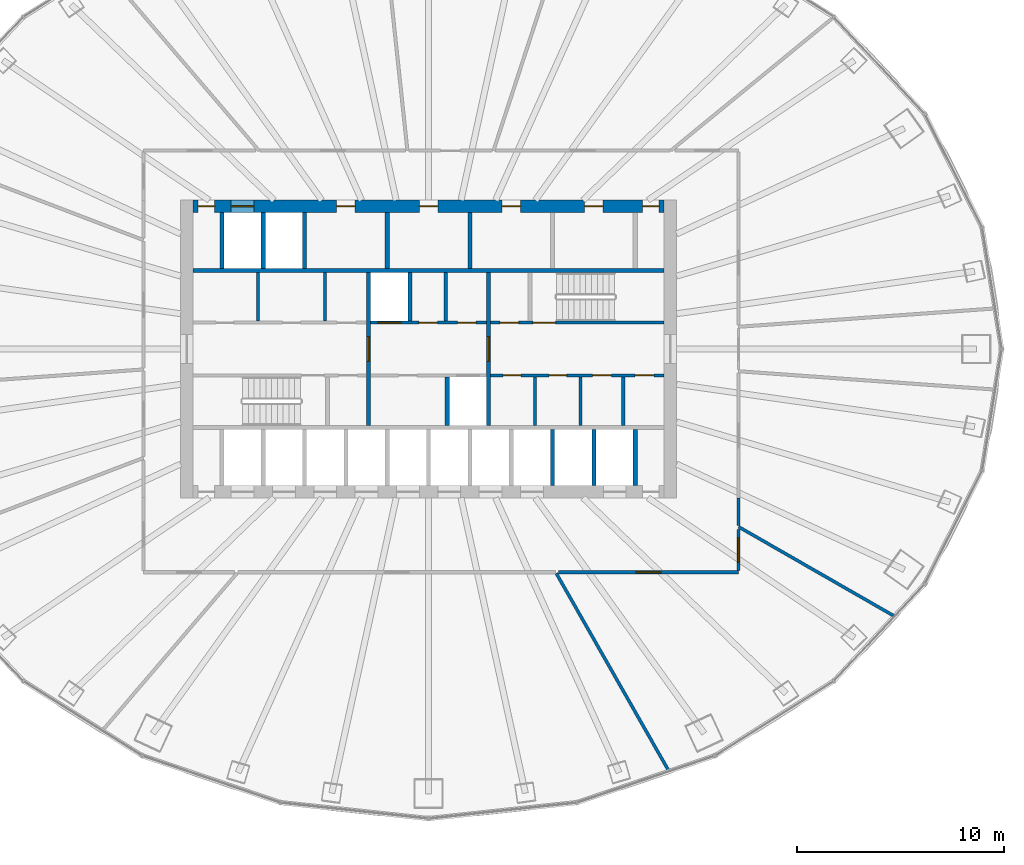
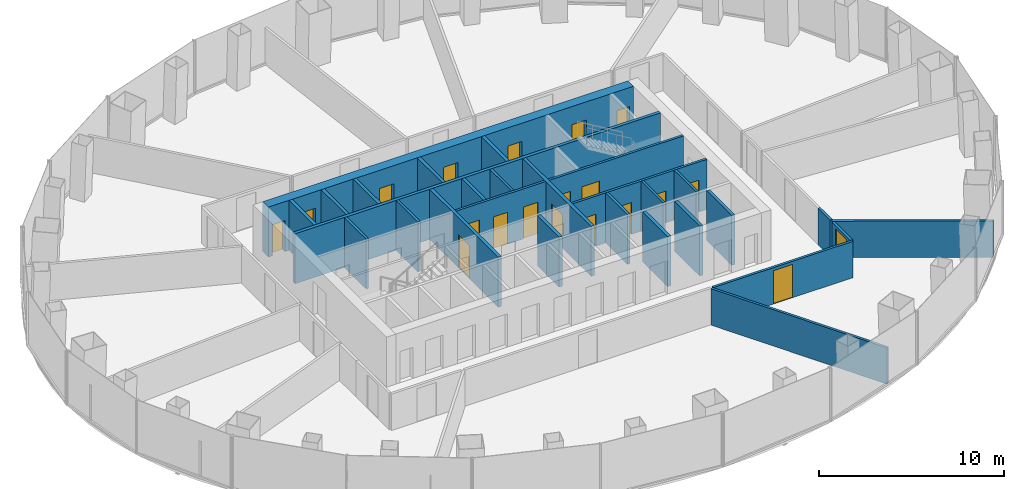
# One storey, part 9 of 11: 28 walls, 20 doors, 20 openings.
"""IFC4 building model written with IfcOpenShell, lengths in metres."""

from ifc_helpers import new_model, si_unit, direction, frame, frame_2d, origin, place, context, subcontext, project, spatial, rectangle, extrude, material, layer, layer_set, type_object, element, fill, save


model = new_model("IFC4")

# Units and contexts
model_context = context("Model", 3, precision=1e-05, world=origin(), true_north=direction((0.0, 1.0)))
body_context = subcontext(model_context, "Body", "Model", "MODEL_VIEW")
ifc_project = project(units=[si_unit("LENGTHUNIT", "METRE"), si_unit("AREAUNIT", "SQUARE_METRE"), si_unit("VOLUMEUNIT", "CUBIC_METRE"), si_unit("PLANEANGLEUNIT", "RADIAN"), si_unit("MASSUNIT", "GRAM", prefix="KILO")], contexts=[model_context])

# Site, building, storey
site_placement = place(None, origin())
site = spatial("IfcSite", under=ifc_project, at=site_placement, CompositionType="ELEMENT")
building_placement = place(site_placement, origin())
building = spatial("IfcBuilding", under=site, at=building_placement, Name="Siaravel Broadcast Tower", CompositionType="ELEMENT")
storey_placement = place(building_placement, frame((0.0, 0.0, 55.60009765625)))
storey = spatial("IfcBuildingStorey", under=building, at=storey_placement, Name="L12", CompositionType="ELEMENT", Elevation=55.60009765625)

# Walls
ifc_material_1 = material(Name="Concrete blockwork", Category="masonry")
ifc_layer_1 = layer(ifc_material_1, 0.14990234375)
ifc_layer_set_1 = layer_set([ifc_layer_1], Name="Concrete blockwork")
wall_type_1 = type_object("IfcWallType", Name="Core partition 150", PredefinedType="PARTITIONING", material=ifc_layer_set_1)
for number, where, z_axis, x_axis, name in (
    (1, (-8.2470703125, 1.35009765625, 0.0), (0.0, 0.0, 1.0), (0.0, 1.0, 0.0), "L12 core partition PNW0"),
    (2, (-5.01904296875, 1.35009765625, 0.0), (0.0, 0.0, 1.0), (0.0, 1.0, 0.0), "L12 core partition PNW1"),
    (3, (5.14208984375, -3.699951171875, 0.0), (0.0, 0.0, 1.0), (0.0, 1.0, 0.0), "L12 core partition PSE0"),
    (4, (7.35888671875, -3.699951171875, 0.0), (0.0, 0.0, 1.0), (0.0, 1.0, 0.0), "L12 core partition PSE1"),
    (5, (9.4169921875, -3.699951171875, 0.0), (0.0, 0.0, 1.0), (0.0, 1.0, 0.0), "L12 core partition PSE2"),
    (6, (0.827392578125, 1.35009765625, 0.0), (0.0, 0.0, 1.0), (0.0, 1.0, 0.0), "L12 core partition PNM0"),
):
    element("IfcWall", number, at=place(storey_placement, frame(where, z_axis=z_axis, x_axis=x_axis)), inside=storey, type_object=wall_type_1, Name=name, PredefinedType="PARTITIONING", context=body_context, shape_type="SweptSolid", body=[
        extrude(rectangle(XDim=2.349853515625, YDim=0.14990234375, at=frame_2d((1.1748046875, 0.0))), origin(), (0.0, 0.0, 1.0), 3.2998046875),
    ])
ifc_layer_2 = layer(ifc_material_1, 0.199951171875)
ifc_layer_set_2 = layer_set([ifc_layer_2], Name="Concrete blockwork")
wall_type_2 = type_object("IfcWallType", Name="Core partition 200", PredefinedType="PARTITIONING", material=ifc_layer_set_2)
for number, where, z_axis, x_axis, name in (
    (7, (-2.0, 3.89990234375, 0.0), (0.0, 0.0, 1.0), (0.0, 1.0, 0.0), "L12 core partition PFN2"),
    (8, (2.0, 3.89990234375, 0.0), (0.0, 0.0, 1.0), (0.0, 1.0, 0.0), "L12 core partition PFN4"),
):
    element("IfcWall", number, at=place(storey_placement, frame(where, z_axis=z_axis, x_axis=x_axis)), inside=storey, type_object=wall_type_2, Name=name, PredefinedType="PARTITIONING", context=body_context, shape_type="SweptSolid", body=[
        extrude(rectangle(XDim=2.7001953125, YDim=0.199951171875, at=frame_2d((1.35009765625, 0.0))), origin(), (0.0, 0.0, 1.0), 3.2998046875),
    ])

# Wall, openings, doors
ifc_material_2 = material(Name="Concrete C60/75", Category="concrete")
ifc_layer_3 = layer(ifc_material_2, 0.60009765625)
ifc_layer_set_3 = layer_set([ifc_layer_3], Name="Concrete C60/75")
wall_type_3 = type_object("IfcWallType", Name="Core wall 600", PredefinedType="SHEAR", material=ifc_layer_set_3)
wall_1_placement = place(storey_placement, frame((-11.39990234375, 6.89990234375, 0.0), z_axis=(0.0, 0.0, 1.0), x_axis=(1.0, 0.0, 0.0)))
wall_1 = element("IfcWall", 9, at=wall_1_placement, inside=storey, type_object=wall_type_3, Name="L12 core wall ON", PredefinedType="SHEAR", context=body_context, shape_type="SweptSolid", body=[
    extrude(rectangle(XDim=22.7998046875, YDim=0.60009765625, at=frame_2d((11.39990234375, 0.0))), origin(), (0.0, 0.0, 1.0), 3.2998046875),
])
opening_1_placement = place(wall_1_placement, frame((1.85009765625, 0.0, 0.0)))
opening_1 = element("IfcOpeningElement", 10, at=opening_1_placement, cuts=wall_1, Name="Opening LD-SV2-L12", PredefinedType="OPENING", context=body_context, shape_type="SweptSolid", body=[
    extrude(rectangle(XDim=1.10009765625, YDim=2.199951171875, at=frame_2d((0.550048828125, 1.10009765625))), frame((0.0, 0.31005859375, 0.0), z_axis=(0.0, -1.0, 0.0), x_axis=(1.0, 0.0, 0.0)), (0.0, 0.0, 1.0), 0.6201171875),
])
opening_2_placement = place(wall_1_placement, frame((6.949951171875, 0.0, 0.0)))
opening_2 = element("IfcOpeningElement", 11, at=opening_2_placement, cuts=wall_1, Name="Opening L12-DFN2", PredefinedType="OPENING", context=body_context, shape_type="SweptSolid", body=[
    extrude(rectangle(XDim=0.89990234375, YDim=2.10009765625, at=frame_2d((0.449951171875, 1.050048828125))), frame((0.0, 0.31005859375, 0.0), z_axis=(0.0, -1.0, 0.0), x_axis=(1.0, 0.0, 0.0)), (0.0, 0.0, 1.0), 0.6201171875),
])
opening_3_placement = place(wall_1_placement, frame((10.949951171875, 0.0, 0.0)))
opening_3 = element("IfcOpeningElement", 12, at=opening_3_placement, cuts=wall_1, Name="Opening L12-DFN4", PredefinedType="OPENING", context=body_context, shape_type="SweptSolid", body=[
    extrude(rectangle(XDim=0.89990234375, YDim=2.10009765625, at=frame_2d((0.449951171875, 1.050048828125))), frame((0.0, 0.31005859375, 0.0), z_axis=(0.0, -1.0, 0.0), x_axis=(1.0, 0.0, 0.0)), (0.0, 0.0, 1.0), 0.6201171875),
])
opening_4_placement = place(wall_1_placement, frame((14.949951171875, 0.0, 0.0)))
opening_4 = element("IfcOpeningElement", 13, at=opening_4_placement, cuts=wall_1, Name="Opening L12-DFN6", PredefinedType="OPENING", context=body_context, shape_type="SweptSolid", body=[
    extrude(rectangle(XDim=0.89990234375, YDim=2.10009765625, at=frame_2d((0.449951171875, 1.050048828125))), frame((0.0, 0.31005859375, 0.0), z_axis=(0.0, -1.0, 0.0), x_axis=(1.0, 0.0, 0.0)), (0.0, 0.0, 1.0), 0.6201171875),
])
opening_5_placement = place(wall_1_placement, frame((18.949951171875, 0.0, 0.0)))
opening_5 = element("IfcOpeningElement", 14, at=opening_5_placement, cuts=wall_1, Name="Opening L12-DFN8", PredefinedType="OPENING", context=body_context, shape_type="SweptSolid", body=[
    extrude(rectangle(XDim=0.89990234375, YDim=2.10009765625, at=frame_2d((0.449951171875, 1.050048828125))), frame((0.0, 0.31005859375, 0.0), z_axis=(0.0, -1.0, 0.0), x_axis=(1.0, 0.0, 0.0)), (0.0, 0.0, 1.0), 0.6201171875),
])
opening_6_placement = place(wall_1_placement, frame((0.25, 0.0, 0.0)))
opening_6 = element("IfcOpeningElement", 15, at=opening_6_placement, cuts=wall_1, Name="Opening L12-DRNW", PredefinedType="OPENING", context=body_context, shape_type="SweptSolid", body=[
    extrude(rectangle(XDim=0.800048828125, YDim=2.050048828125, at=frame_2d((0.39990234375, 1.02490234375))), frame((0.0, 0.31005859375, 0.0), z_axis=(0.0, -1.0, 0.0), x_axis=(1.0, 0.0, 0.0)), (0.0, 0.0, 1.0), 0.6201171875),
])
opening_7_placement = place(wall_1_placement, frame((21.75, 0.0, 0.0)))
opening_7 = element("IfcOpeningElement", 16, at=opening_7_placement, cuts=wall_1, Name="Opening L12-DRNE", PredefinedType="OPENING", context=body_context, shape_type="SweptSolid", body=[
    extrude(rectangle(XDim=0.800048828125, YDim=2.050048828125, at=frame_2d((0.39990234375, 1.02490234375))), frame((0.0, 0.31005859375, 0.0), z_axis=(0.0, -1.0, 0.0), x_axis=(1.0, 0.0, 0.0)), (0.0, 0.0, 1.0), 0.6201171875),
])
ifc_material_3 = material(Name="Timber veneer", Category="wood")
door_type_1 = type_object("IfcDoorType", Name="Core room door 900", OperationType="SINGLE_SWING_LEFT", PredefinedType="DOOR", material=ifc_material_3)
door_1_placement = place(opening_2_placement, origin())
door_1 = element("IfcDoor", 17, at=door_1_placement, inside=storey, type_object=door_type_1, Name="L12 door DFN2", OperationType="SINGLE_SWING_LEFT", OverallHeight=2.10009765625, OverallWidth=0.89990234375, PredefinedType="DOOR", context=body_context, shape_type="SweptSolid", body=[
    extrude(rectangle(XDim=0.89990234375, YDim=2.10009765625, at=frame_2d((0.449951171875, 1.050048828125))), frame((0.0, 0.02490234375, 0.0), z_axis=(0.0, -1.0, 0.0), x_axis=(1.0, 0.0, 0.0)), (0.0, 0.0, 1.0), 0.050048828125),
])
fill(opening_2, door_1)
door_2_placement = place(opening_3_placement, origin())
door_2 = element("IfcDoor", 18, at=door_2_placement, inside=storey, type_object=door_type_1, Name="L12 door DFN4", OperationType="SINGLE_SWING_LEFT", OverallHeight=2.10009765625, OverallWidth=0.89990234375, PredefinedType="DOOR", context=body_context, shape_type="SweptSolid", body=[
    extrude(rectangle(XDim=0.89990234375, YDim=2.10009765625, at=frame_2d((0.449951171875, 1.050048828125))), frame((0.0, 0.02490234375, 0.0), z_axis=(0.0, -1.0, 0.0), x_axis=(1.0, 0.0, 0.0)), (0.0, 0.0, 1.0), 0.050048828125),
])
fill(opening_3, door_2)
door_3_placement = place(opening_4_placement, origin())
door_3 = element("IfcDoor", 19, at=door_3_placement, inside=storey, type_object=door_type_1, Name="L12 door DFN6", OperationType="SINGLE_SWING_LEFT", OverallHeight=2.10009765625, OverallWidth=0.89990234375, PredefinedType="DOOR", context=body_context, shape_type="SweptSolid", body=[
    extrude(rectangle(XDim=0.89990234375, YDim=2.10009765625, at=frame_2d((0.449951171875, 1.050048828125))), frame((0.0, 0.02490234375, 0.0), z_axis=(0.0, -1.0, 0.0), x_axis=(1.0, 0.0, 0.0)), (0.0, 0.0, 1.0), 0.050048828125),
])
fill(opening_4, door_3)
door_4_placement = place(opening_5_placement, origin())
door_4 = element("IfcDoor", 20, at=door_4_placement, inside=storey, type_object=door_type_1, Name="L12 door DFN8", OperationType="SINGLE_SWING_LEFT", OverallHeight=2.10009765625, OverallWidth=0.89990234375, PredefinedType="DOOR", context=body_context, shape_type="SweptSolid", body=[
    extrude(rectangle(XDim=0.89990234375, YDim=2.10009765625, at=frame_2d((0.449951171875, 1.050048828125))), frame((0.0, 0.02490234375, 0.0), z_axis=(0.0, -1.0, 0.0), x_axis=(1.0, 0.0, 0.0)), (0.0, 0.0, 1.0), 0.050048828125),
])
fill(opening_5, door_4)
ifc_material_4 = material(Name="Steel", Category="steel")
door_type_2 = type_object("IfcDoorType", Name="Riser door 800", OperationType="SINGLE_SWING_LEFT", PredefinedType="DOOR", material=ifc_material_4)
door_5_placement = place(opening_6_placement, origin())
door_5 = element("IfcDoor", 21, at=door_5_placement, inside=storey, type_object=door_type_2, Name="L12 door DRNW", OperationType="SINGLE_SWING_LEFT", OverallHeight=2.050048828125, OverallWidth=0.800048828125, PredefinedType="DOOR", context=body_context, shape_type="SweptSolid", body=[
    extrude(rectangle(XDim=0.800048828125, YDim=2.050048828125, at=frame_2d((0.39990234375, 1.02490234375))), frame((0.0, 0.02490234375, 0.0), z_axis=(0.0, -1.0, 0.0), x_axis=(1.0, 0.0, 0.0)), (0.0, 0.0, 1.0), 0.050048828125),
])
fill(opening_6, door_5)
door_6_placement = place(opening_7_placement, origin())
door_6 = element("IfcDoor", 22, at=door_6_placement, inside=storey, type_object=door_type_2, Name="L12 door DRNE", OperationType="SINGLE_SWING_LEFT", OverallHeight=2.050048828125, OverallWidth=0.800048828125, PredefinedType="DOOR", context=body_context, shape_type="SweptSolid", body=[
    extrude(rectangle(XDim=0.800048828125, YDim=2.050048828125, at=frame_2d((0.39990234375, 1.02490234375))), frame((0.0, 0.02490234375, 0.0), z_axis=(0.0, -1.0, 0.0), x_axis=(1.0, 0.0, 0.0)), (0.0, 0.0, 1.0), 0.050048828125),
])
fill(opening_7, door_6)
ifc_material_5 = material(Name="Stainless steel 316L", Category="steel")
door_type_3 = type_object("IfcDoorType", Name="Service lift landing door 1100", OperationType="DOUBLE_DOOR_SLIDING", PredefinedType="DOOR", material=ifc_material_5)
door_7_placement = place(opening_1_placement, origin())
door_7 = element("IfcDoor", 23, at=door_7_placement, inside=storey, type_object=door_type_3, Name="Landing door SV2 L12", OperationType="DOUBLE_DOOR_SLIDING", OverallHeight=2.199951171875, OverallWidth=1.10009765625, PredefinedType="DOOR", context=body_context, shape_type="SweptSolid", body=[
    extrude(rectangle(XDim=1.10009765625, YDim=2.199951171875, at=frame_2d((0.550048828125, 1.10009765625))), frame((0.0, 0.02490234375, 0.0), z_axis=(0.0, -1.0, 0.0), x_axis=(1.0, 0.0, 0.0)), (0.0, 0.0, 1.0), 0.050048828125),
])
fill(opening_1, door_7)

ifc_material_6 = material(Name="Gypsum board partition", Category="gypsum")
ifc_layer_4 = layer(ifc_material_6, 0.14990234375)
ifc_layer_set_4 = layer_set([ifc_layer_4], Name="Gypsum board partition")
wall_type_4 = type_object("IfcWallType", Name="Corridor wall 150", PredefinedType="PARTITIONING", material=ifc_layer_set_4)
wall_2_placement = place(storey_placement, frame((3.0, -1.27490234375, 0.0), z_axis=(0.0, 0.0, 1.0), x_axis=(1.0, 0.0, 0.0)))
wall_2 = element("IfcWall", 24, at=wall_2_placement, inside=storey, type_object=wall_type_4, Name="L12 core partition CSE", PredefinedType="PARTITIONING", context=body_context, shape_type="SweptSolid", body=[
    extrude(rectangle(XDim=8.39990234375, YDim=0.14990234375, at=frame_2d((4.199951171875, 0.0))), origin(), (0.0, 0.0, 1.0), 3.2998046875),
])
opening_8_placement = place(wall_2_placement, frame((0.6083984375, 0.0, 0.0)))
opening_8 = element("IfcOpeningElement", 25, at=opening_8_placement, cuts=wall_2, Name="Opening L12-DSE0", PredefinedType="OPENING", context=body_context, shape_type="SweptSolid", body=[
    extrude(rectangle(XDim=0.85009765625, YDim=2.10009765625, at=frame_2d((0.425048828125, 1.050048828125))), frame((0.0, 0.0849609375, 0.0), z_axis=(0.0, -1.0, 0.0), x_axis=(1.0, 0.0, 0.0)), (0.0, 0.0, 1.0), 0.169921875),
])
opening_9_placement = place(wall_2_placement, frame((2.825439453125, 0.0, 0.0)))
opening_9 = element("IfcOpeningElement", 26, at=opening_9_placement, cuts=wall_2, Name="Opening L12-DSE1", PredefinedType="OPENING", context=body_context, shape_type="SweptSolid", body=[
    extrude(rectangle(XDim=0.85009765625, YDim=2.10009765625, at=frame_2d((0.425048828125, 1.050048828125))), frame((0.0, 0.0849609375, 0.0), z_axis=(0.0, -1.0, 0.0), x_axis=(1.0, 0.0, 0.0)), (0.0, 0.0, 1.0), 0.169921875),
])
opening_10_placement = place(wall_2_placement, frame((4.93798828125, 0.0, 0.0)))
opening_10 = element("IfcOpeningElement", 27, at=opening_10_placement, cuts=wall_2, Name="Opening L12-DSE2", PredefinedType="OPENING", context=body_context, shape_type="SweptSolid", body=[
    extrude(rectangle(XDim=0.89990234375, YDim=2.10009765625, at=frame_2d((0.449951171875, 1.050048828125))), frame((0.0, 0.0849609375, 0.0), z_axis=(0.0, -1.0, 0.0), x_axis=(1.0, 0.0, 0.0)), (0.0, 0.0, 1.0), 0.169921875),
])
opening_11_placement = place(wall_2_placement, frame((6.99609375, 0.0, 0.0)))
opening_11 = element("IfcOpeningElement", 28, at=opening_11_placement, cuts=wall_2, Name="Opening L12-DSE3", PredefinedType="OPENING", context=body_context, shape_type="SweptSolid", body=[
    extrude(rectangle(XDim=0.89990234375, YDim=2.10009765625, at=frame_2d((0.449951171875, 1.050048828125))), frame((0.0, 0.0849609375, 0.0), z_axis=(0.0, -1.0, 0.0), x_axis=(1.0, 0.0, 0.0)), (0.0, 0.0, 1.0), 0.169921875),
])
door_8_placement = place(opening_10_placement, origin())
door_8 = element("IfcDoor", 29, at=door_8_placement, inside=storey, type_object=door_type_1, Name="L12 door DSE2", OperationType="SINGLE_SWING_LEFT", OverallHeight=2.10009765625, OverallWidth=0.89990234375, PredefinedType="DOOR", context=body_context, shape_type="SweptSolid", body=[
    extrude(rectangle(XDim=0.89990234375, YDim=2.10009765625, at=frame_2d((0.449951171875, 1.050048828125))), frame((0.0, 0.02490234375, 0.0), z_axis=(0.0, -1.0, 0.0), x_axis=(1.0, 0.0, 0.0)), (0.0, 0.0, 1.0), 0.050048828125),
])
fill(opening_10, door_8)
door_9_placement = place(opening_11_placement, origin())
door_9 = element("IfcDoor", 30, at=door_9_placement, inside=storey, type_object=door_type_1, Name="L12 door DSE3", OperationType="SINGLE_SWING_LEFT", OverallHeight=2.10009765625, OverallWidth=0.89990234375, PredefinedType="DOOR", context=body_context, shape_type="SweptSolid", body=[
    extrude(rectangle(XDim=0.89990234375, YDim=2.10009765625, at=frame_2d((0.449951171875, 1.050048828125))), frame((0.0, 0.02490234375, 0.0), z_axis=(0.0, -1.0, 0.0), x_axis=(1.0, 0.0, 0.0)), (0.0, 0.0, 1.0), 0.050048828125),
])
fill(opening_11, door_9)
door_type_4 = type_object("IfcDoorType", Name="Core toilet door 850", OperationType="SINGLE_SWING_LEFT", PredefinedType="DOOR", material=ifc_material_3)
door_10_placement = place(opening_8_placement, origin())
door_10 = element("IfcDoor", 31, at=door_10_placement, inside=storey, type_object=door_type_4, Name="L12 door DSE0", OperationType="SINGLE_SWING_LEFT", OverallHeight=2.10009765625, OverallWidth=0.85009765625, PredefinedType="DOOR", context=body_context, shape_type="SweptSolid", body=[
    extrude(rectangle(XDim=0.85009765625, YDim=2.10009765625, at=frame_2d((0.425048828125, 1.050048828125))), frame((0.0, 0.02490234375, 0.0), z_axis=(0.0, -1.0, 0.0), x_axis=(1.0, 0.0, 0.0)), (0.0, 0.0, 1.0), 0.050048828125),
])
fill(opening_8, door_10)
door_11_placement = place(opening_9_placement, origin())
door_11 = element("IfcDoor", 32, at=door_11_placement, inside=storey, type_object=door_type_4, Name="L12 door DSE1", OperationType="SINGLE_SWING_LEFT", OverallHeight=2.10009765625, OverallWidth=0.85009765625, PredefinedType="DOOR", context=body_context, shape_type="SweptSolid", body=[
    extrude(rectangle(XDim=0.85009765625, YDim=2.10009765625, at=frame_2d((0.425048828125, 1.050048828125))), frame((0.0, 0.02490234375, 0.0), z_axis=(0.0, -1.0, 0.0), x_axis=(1.0, 0.0, 0.0)), (0.0, 0.0, 1.0), 0.050048828125),
])
fill(opening_9, door_11)

# Wall, opening, door
wall_3_placement = place(storey_placement, frame((6.279296875, -10.800048828125, 0.0), z_axis=(0.0, 0.0, 1.0), x_axis=(1.0, 0.0, 0.0)))
wall_3 = element("IfcWall", 33, at=wall_3_placement, inside=storey, type_object=wall_type_4, Name="L12 partition 13", PredefinedType="PARTITIONING", context=body_context, shape_type="SweptSolid", body=[
    extrude(rectangle(XDim=8.720703125, YDim=0.14990234375, at=frame_2d((4.3603515625, 0.0))), origin(), (0.0, 0.0, 1.0), 2.39990234375),
])
opening_12_placement = place(wall_3_placement, frame((3.760498046875, 0.0, 0.0)))
opening_12 = element("IfcOpeningElement", 34, at=opening_12_placement, cuts=wall_3, Name="Opening L12-013", PredefinedType="OPENING", context=body_context, shape_type="SweptSolid", body=[
    extrude(rectangle(XDim=1.199951171875, YDim=2.199951171875, at=frame_2d((0.60009765625, 1.10009765625))), frame((0.0, 0.0849609375, 0.0), z_axis=(0.0, -1.0, 0.0), x_axis=(1.0, 0.0, 0.0)), (0.0, 0.0, 1.0), 0.169921875),
])
door_type_5 = type_object("IfcDoorType", Name="Office double door 1200", OperationType="DOUBLE_DOOR_SINGLE_SWING", PredefinedType="DOOR", material=ifc_material_3)
door_12_placement = place(opening_12_placement, origin())
door_12 = element("IfcDoor", 35, at=door_12_placement, inside=storey, type_object=door_type_5, Name="L12 door to Open plan newsroom", OperationType="DOUBLE_DOOR_SINGLE_SWING", OverallHeight=2.199951171875, OverallWidth=1.199951171875, PredefinedType="DOOR", context=body_context, shape_type="SweptSolid", body=[
    extrude(rectangle(XDim=1.199951171875, YDim=2.199951171875, at=frame_2d((0.60009765625, 1.10009765625))), frame((0.0, 0.02490234375, 0.0), z_axis=(0.0, -1.0, 0.0), x_axis=(1.0, 0.0, 0.0)), (0.0, 0.0, 1.0), 0.050048828125),
])
fill(opening_12, door_12)

wall_4_placement = place(storey_placement, frame((15.0, -10.722900390625, 0.0), z_axis=(0.0, 0.0, 1.0), x_axis=(0.0, 1.0, 0.0)))
wall_4 = element("IfcWall", 36, at=wall_4_placement, inside=storey, type_object=wall_type_4, Name="L12 partition 28", PredefinedType="PARTITIONING", context=body_context, shape_type="SweptSolid", body=[
    extrude(rectangle(XDim=1.98828125, YDim=0.14990234375, at=frame_2d((0.994140625, 0.0))), origin(), (0.0, 0.0, 1.0), 2.39990234375),
])
opening_13_placement = place(wall_4_placement, frame((0.394287109375, 0.0, 0.0)))
opening_13 = element("IfcOpeningElement", 37, at=opening_13_placement, cuts=wall_4, Name="Opening L12-014", PredefinedType="OPENING", context=body_context, shape_type="SweptSolid", body=[
    extrude(rectangle(XDim=1.199951171875, YDim=2.199951171875, at=frame_2d((0.60009765625, 1.10009765625))), frame((0.0, 0.0849609375, 0.0), z_axis=(0.0, -1.0, 0.0), x_axis=(1.0, 0.0, 0.0)), (0.0, 0.0, 1.0), 0.169921875),
])
door_13_placement = place(opening_13_placement, origin())
door_13 = element("IfcDoor", 38, at=door_13_placement, inside=storey, type_object=door_type_5, Name="L12 door to Open plan newsroom", OperationType="DOUBLE_DOOR_SINGLE_SWING", OverallHeight=2.199951171875, OverallWidth=1.199951171875, PredefinedType="DOOR", context=body_context, shape_type="SweptSolid", body=[
    extrude(rectangle(XDim=1.199951171875, YDim=2.199951171875, at=frame_2d((0.60009765625, 1.10009765625))), frame((0.0, 0.02490234375, 0.0), z_axis=(0.0, -1.0, 0.0), x_axis=(1.0, 0.0, 0.0)), (0.0, 0.0, 1.0), 0.050048828125),
])
fill(opening_13, door_13)

# Walls
wall_5_placement = place(storey_placement, frame((15.0, -8.5361328125, 0.0), z_axis=(0.0, 0.0, 1.0), x_axis=(0.0, 1.0, 0.0)))
element("IfcWall", 39, at=wall_5_placement, inside=storey, type_object=wall_type_4, Name="L12 partition 32", PredefinedType="PARTITIONING", context=body_context, shape_type="SweptSolid", body=[
    extrude(rectangle(XDim=1.3232421875, YDim=0.14990234375, at=frame_2d((0.66162109375, 0.0))), origin(), (0.0, 0.0, 1.0), 2.39990234375),
])
ifc_layer_5 = layer(ifc_material_6, 0.14990234375)
ifc_layer_set_5 = layer_set([ifc_layer_5], Name="Gypsum board partition")
wall_type_5 = type_object("IfcWallType", Name="Room partition 150", PredefinedType="PARTITIONING", material=ifc_layer_set_5)
wall_6_placement = place(storey_placement, frame((11.638427734375, -20.444091796875, 0.0), z_axis=(0.0, 0.0, 1.0), x_axis=(-0.494736706, 0.869042917, 0.0)))
element("IfcWall", 40, at=wall_6_placement, inside=storey, type_object=wall_type_5, Name="L12 partition 10", PredefinedType="PARTITIONING", context=body_context, shape_type="SweptSolid", body=[
    extrude(rectangle(XDim=11.0302734375, YDim=0.14990234375, at=frame_2d((5.51513671875, 0.0))), origin(), (0.0, 0.0, 1.0), 2.39990234375),
])
wall_7_placement = place(storey_placement, frame((22.57080078125, -12.9453125, 0.0), z_axis=(0.0, 0.0, 1.0), x_axis=(-0.867458802, 0.497509022, 0.0)))
element("IfcWall", 41, at=wall_7_placement, inside=storey, type_object=wall_type_5, Name="L12 partition 14", PredefinedType="PARTITIONING", context=body_context, shape_type="SweptSolid", body=[
    extrude(rectangle(XDim=8.7275390625, YDim=0.14990234375, at=frame_2d((4.36376953125, 0.0))), origin(), (0.0, 0.0, 1.0), 2.39990234375),
])

# Wall, openings, doors
ifc_layer_6 = layer(ifc_material_2, 0.14990234375)
ifc_layer_set_6 = layer_set([ifc_layer_6], Name="Concrete C60/75")
wall_type_6 = type_object("IfcWallType", Name="Shaft wall 150", PredefinedType="SHEAR", material=ifc_layer_set_6)
wall_8_placement = place(storey_placement, frame((-2.800048828125, 1.27490234375, 0.0), z_axis=(0.0, 0.0, 1.0), x_axis=(1.0, 0.0, 0.0)))
wall_8 = element("IfcWall", 42, at=wall_8_placement, inside=storey, type_object=wall_type_6, Name="L12 core wall CNM", PredefinedType="SHEAR", context=body_context, shape_type="SweptSolid", body=[
    extrude(rectangle(XDim=5.60009765625, YDim=0.14990234375, at=frame_2d((2.800048828125, 0.0))), origin(), (0.0, 0.0, 1.0), 3.2998046875),
])
opening_14_placement = place(wall_8_placement, frame((0.35009765625, 0.0, 0.0)))
opening_14 = element("IfcOpeningElement", 43, at=opening_14_placement, cuts=wall_8, Name="Opening LD-FL1-L12", PredefinedType="OPENING", context=body_context, shape_type="SweptSolid", body=[
    extrude(rectangle(XDim=1.10009765625, YDim=2.199951171875, at=frame_2d((0.550048828125, 1.10009765625))), frame((0.0, 0.0849609375, 0.0), z_axis=(0.0, -1.0, 0.0), x_axis=(1.0, 0.0, 0.0)), (0.0, 0.0, 1.0), 0.169921875),
])
opening_15_placement = place(wall_8_placement, frame((2.326171875, 0.0, 0.0)))
opening_15 = element("IfcOpeningElement", 44, at=opening_15_placement, cuts=wall_8, Name="Opening L12-DNM0", PredefinedType="OPENING", context=body_context, shape_type="SweptSolid", body=[
    extrude(rectangle(XDim=0.89990234375, YDim=2.10009765625, at=frame_2d((0.449951171875, 1.050048828125))), frame((0.0, 0.0849609375, 0.0), z_axis=(0.0, -1.0, 0.0), x_axis=(1.0, 0.0, 0.0)), (0.0, 0.0, 1.0), 0.169921875),
])
opening_16_placement = place(wall_8_placement, frame((4.201171875, 0.0, 0.0)))
opening_16 = element("IfcOpeningElement", 45, at=opening_16_placement, cuts=wall_8, Name="Opening L12-DNM1", PredefinedType="OPENING", context=body_context, shape_type="SweptSolid", body=[
    extrude(rectangle(XDim=0.89990234375, YDim=2.10009765625, at=frame_2d((0.449951171875, 1.050048828125))), frame((0.0, 0.0849609375, 0.0), z_axis=(0.0, -1.0, 0.0), x_axis=(1.0, 0.0, 0.0)), (0.0, 0.0, 1.0), 0.169921875),
])
door_14_placement = place(opening_15_placement, origin())
door_14 = element("IfcDoor", 46, at=door_14_placement, inside=storey, type_object=door_type_1, Name="L12 door DNM0", OperationType="SINGLE_SWING_LEFT", OverallHeight=2.10009765625, OverallWidth=0.89990234375, PredefinedType="DOOR", context=body_context, shape_type="SweptSolid", body=[
    extrude(rectangle(XDim=0.89990234375, YDim=2.10009765625, at=frame_2d((0.449951171875, 1.050048828125))), frame((0.0, 0.02490234375, 0.0), z_axis=(0.0, -1.0, 0.0), x_axis=(1.0, 0.0, 0.0)), (0.0, 0.0, 1.0), 0.050048828125),
])
fill(opening_15, door_14)
door_15_placement = place(opening_16_placement, origin())
door_15 = element("IfcDoor", 47, at=door_15_placement, inside=storey, type_object=door_type_1, Name="L12 door DNM1", OperationType="SINGLE_SWING_LEFT", OverallHeight=2.10009765625, OverallWidth=0.89990234375, PredefinedType="DOOR", context=body_context, shape_type="SweptSolid", body=[
    extrude(rectangle(XDim=0.89990234375, YDim=2.10009765625, at=frame_2d((0.449951171875, 1.050048828125))), frame((0.0, 0.02490234375, 0.0), z_axis=(0.0, -1.0, 0.0), x_axis=(1.0, 0.0, 0.0)), (0.0, 0.0, 1.0), 0.050048828125),
])
fill(opening_16, door_15)
door_type_6 = type_object("IfcDoorType", Name="Firefighting lift landing door 1100", OperationType="DOUBLE_DOOR_SLIDING", PredefinedType="DOOR", material=ifc_material_5)
door_16_placement = place(opening_14_placement, origin())
door_16 = element("IfcDoor", 48, at=door_16_placement, inside=storey, type_object=door_type_6, Name="Landing door FL1 L12", OperationType="DOUBLE_DOOR_SLIDING", OverallHeight=2.199951171875, OverallWidth=1.10009765625, PredefinedType="DOOR", context=body_context, shape_type="SweptSolid", body=[
    extrude(rectangle(XDim=1.10009765625, YDim=2.199951171875, at=frame_2d((0.550048828125, 1.10009765625))), frame((0.0, 0.02490234375, 0.0), z_axis=(0.0, -1.0, 0.0), x_axis=(1.0, 0.0, 0.0)), (0.0, 0.0, 1.0), 0.050048828125),
])
fill(opening_14, door_16)

wall_9_placement = place(storey_placement, frame((3.0, 1.27490234375, 0.0), z_axis=(0.0, 0.0, 1.0), x_axis=(1.0, 0.0, 0.0)))
wall_9 = element("IfcWall", 49, at=wall_9_placement, inside=storey, type_object=wall_type_6, Name="L12 core wall CNE", PredefinedType="SHEAR", context=body_context, shape_type="SweptSolid", body=[
    extrude(rectangle(XDim=8.39990234375, YDim=0.14990234375, at=frame_2d((4.199951171875, 0.0))), origin(), (0.0, 0.0, 1.0), 3.2998046875),
])
opening_17_placement = place(wall_9_placement, frame((2.050048828125, 0.0, 0.0)))
opening_17 = element("IfcOpeningElement", 50, at=opening_17_placement, cuts=wall_9, Name="Opening L12-DS-2", PredefinedType="OPENING", context=body_context, shape_type="SweptSolid", body=[
    extrude(rectangle(XDim=1.10009765625, YDim=2.14990234375, at=frame_2d((0.550048828125, 1.074951171875))), frame((0.0, 0.0849609375, 0.0), z_axis=(0.0, -1.0, 0.0), x_axis=(1.0, 0.0, 0.0)), (0.0, 0.0, 1.0), 0.169921875),
])
opening_18_placement = place(wall_9_placement, frame((0.449951171875, 0.0, 0.0)))
opening_18 = element("IfcOpeningElement", 51, at=opening_18_placement, cuts=wall_9, Name="Opening L12-DNE0", PredefinedType="OPENING", context=body_context, shape_type="SweptSolid", body=[
    extrude(rectangle(XDim=0.89990234375, YDim=2.10009765625, at=frame_2d((0.449951171875, 1.050048828125))), frame((0.0, 0.0849609375, 0.0), z_axis=(0.0, -1.0, 0.0), x_axis=(1.0, 0.0, 0.0)), (0.0, 0.0, 1.0), 0.169921875),
])
door_17_placement = place(opening_18_placement, origin())
door_17 = element("IfcDoor", 52, at=door_17_placement, inside=storey, type_object=door_type_1, Name="L12 door DNE0", OperationType="SINGLE_SWING_LEFT", OverallHeight=2.10009765625, OverallWidth=0.89990234375, PredefinedType="DOOR", context=body_context, shape_type="SweptSolid", body=[
    extrude(rectangle(XDim=0.89990234375, YDim=2.10009765625, at=frame_2d((0.449951171875, 1.050048828125))), frame((0.0, 0.02490234375, 0.0), z_axis=(0.0, -1.0, 0.0), x_axis=(1.0, 0.0, 0.0)), (0.0, 0.0, 1.0), 0.050048828125),
])
fill(opening_18, door_17)
door_type_7 = type_object("IfcDoorType", Name="Stair door 1100", OperationType="SINGLE_SWING_LEFT", PredefinedType="DOOR", material=ifc_material_4)
door_18_placement = place(opening_17_placement, origin())
door_18 = element("IfcDoor", 53, at=door_18_placement, inside=storey, type_object=door_type_7, Name="L12 door DS-2", OperationType="SINGLE_SWING_LEFT", OverallHeight=2.14990234375, OverallWidth=1.10009765625, PredefinedType="DOOR", context=body_context, shape_type="SweptSolid", body=[
    extrude(rectangle(XDim=1.10009765625, YDim=2.14990234375, at=frame_2d((0.550048828125, 1.074951171875))), frame((0.0, 0.02490234375, 0.0), z_axis=(0.0, -1.0, 0.0), x_axis=(1.0, 0.0, 0.0)), (0.0, 0.0, 1.0), 0.050048828125),
])
fill(opening_17, door_18)

# Walls
ifc_layer_7 = layer(ifc_material_2, 0.199951171875)
ifc_layer_set_7 = layer_set([ifc_layer_7], Name="Concrete C60/75")
wall_type_7 = type_object("IfcWallType", Name="Shaft wall 200", PredefinedType="SHEAR", material=ifc_layer_set_7)
wall_10_placement = place(storey_placement, frame((-11.39990234375, 3.800048828125, 0.0), z_axis=(0.0, 0.0, 1.0), x_axis=(1.0, 0.0, 0.0)))
element("IfcWall", 54, at=wall_10_placement, inside=storey, type_object=wall_type_7, Name="L12 core wall BN", PredefinedType="SHEAR", context=body_context, shape_type="SweptSolid", body=[
    extrude(rectangle(XDim=22.7998046875, YDim=0.199951171875, at=frame_2d((11.39990234375, 0.0))), origin(), (0.0, 0.0, 1.0), 3.2998046875),
])
for number, where, z_axis, x_axis, name in (
    (55, (6.0, -6.60009765625, 0.0), (0.0, 0.0, 1.0), (0.0, 1.0, 0.0), "L12 core wall SWS8"),
    (56, (8.0, -6.60009765625, 0.0), (0.0, 0.0, 1.0), (0.0, 1.0, 0.0), "L12 core wall SWS9"),
    (57, (10.0, -6.60009765625, 0.0), (0.0, 0.0, 1.0), (0.0, 1.0, 0.0), "L12 core wall SWS10"),
    (58, (-10.0, 3.89990234375, 0.0), (0.0, 0.0, 1.0), (0.0, 1.0, 0.0), "L12 core wall SWN0"),
    (59, (-8.0, 3.89990234375, 0.0), (0.0, 0.0, 1.0), (0.0, 1.0, 0.0), "L12 core wall SWN1"),
    (60, (-6.0, 3.89990234375, 0.0), (0.0, 0.0, 1.0), (0.0, 1.0, 0.0), "L12 core wall SWN2"),
):
    element("IfcWall", number, at=place(storey_placement, frame(where, z_axis=z_axis, x_axis=x_axis)), inside=storey, type_object=wall_type_7, Name=name, PredefinedType="SHEAR", context=body_context, shape_type="SweptSolid", body=[
        extrude(rectangle(XDim=2.7001953125, YDim=0.199951171875, at=frame_2d((1.35009765625, 0.0))), origin(), (0.0, 0.0, 1.0), 3.2998046875),
    ])

# Wall, opening, door
wall_11_placement = place(storey_placement, frame((-2.89990234375, -3.699951171875, 0.0), z_axis=(0.0, 0.0, 1.0), x_axis=(0.0, 1.0, 0.0)))
wall_11 = element("IfcWall", 61, at=wall_11_placement, inside=storey, type_object=wall_type_7, Name="L12 core wall LW", PredefinedType="SHEAR", context=body_context, shape_type="SweptSolid", body=[
    extrude(rectangle(XDim=7.39990234375, YDim=0.199951171875, at=frame_2d((3.699951171875, 0.0))), origin(), (0.0, 0.0, 1.0), 3.2998046875),
])
opening_19_placement = place(wall_11_placement, frame((3.10009765625, 0.0, 0.0)))
opening_19 = element("IfcOpeningElement", 62, at=opening_19_placement, cuts=wall_11, Name="Opening L12-DL-W", PredefinedType="OPENING", context=body_context, shape_type="SweptSolid", body=[
    extrude(rectangle(XDim=1.199951171875, YDim=2.199951171875, at=frame_2d((0.60009765625, 1.10009765625))), frame((0.0, 0.10986328125, 0.0), z_axis=(0.0, -1.0, 0.0), x_axis=(1.0, 0.0, 0.0)), (0.0, 0.0, 1.0), 0.219970703125),
])
door_type_8 = type_object("IfcDoorType", Name="Firefighting lobby door 1200", OperationType="SINGLE_SWING_LEFT", PredefinedType="DOOR", material=ifc_material_4)
door_19_placement = place(opening_19_placement, origin())
door_19 = element("IfcDoor", 63, at=door_19_placement, inside=storey, type_object=door_type_8, Name="L12 door DL-W", OperationType="SINGLE_SWING_LEFT", OverallHeight=2.199951171875, OverallWidth=1.199951171875, PredefinedType="DOOR", context=body_context, shape_type="SweptSolid", body=[
    extrude(rectangle(XDim=1.199951171875, YDim=2.199951171875, at=frame_2d((0.60009765625, 1.10009765625))), frame((0.0, 0.02490234375, 0.0), z_axis=(0.0, -1.0, 0.0), x_axis=(1.0, 0.0, 0.0)), (0.0, 0.0, 1.0), 0.050048828125),
])
fill(opening_19, door_19)

wall_12_placement = place(storey_placement, frame((2.89990234375, -3.699951171875, 0.0), z_axis=(0.0, 0.0, 1.0), x_axis=(0.0, 1.0, 0.0)))
wall_12 = element("IfcWall", 64, at=wall_12_placement, inside=storey, type_object=wall_type_7, Name="L12 core wall LE", PredefinedType="SHEAR", context=body_context, shape_type="SweptSolid", body=[
    extrude(rectangle(XDim=7.39990234375, YDim=0.199951171875, at=frame_2d((3.699951171875, 0.0))), origin(), (0.0, 0.0, 1.0), 3.2998046875),
])
opening_20_placement = place(wall_12_placement, frame((3.10009765625, 0.0, 0.0)))
opening_20 = element("IfcOpeningElement", 65, at=opening_20_placement, cuts=wall_12, Name="Opening L12-DL-E", PredefinedType="OPENING", context=body_context, shape_type="SweptSolid", body=[
    extrude(rectangle(XDim=1.199951171875, YDim=2.199951171875, at=frame_2d((0.60009765625, 1.10009765625))), frame((0.0, 0.10986328125, 0.0), z_axis=(0.0, -1.0, 0.0), x_axis=(1.0, 0.0, 0.0)), (0.0, 0.0, 1.0), 0.219970703125),
])
door_20_placement = place(opening_20_placement, origin())
door_20 = element("IfcDoor", 66, at=door_20_placement, inside=storey, type_object=door_type_8, Name="L12 door DL-E", OperationType="SINGLE_SWING_LEFT", OverallHeight=2.199951171875, OverallWidth=1.199951171875, PredefinedType="DOOR", context=body_context, shape_type="SweptSolid", body=[
    extrude(rectangle(XDim=1.199951171875, YDim=2.199951171875, at=frame_2d((0.60009765625, 1.10009765625))), frame((0.0, 0.02490234375, 0.0), z_axis=(0.0, -1.0, 0.0), x_axis=(1.0, 0.0, 0.0)), (0.0, 0.0, 1.0), 0.050048828125),
])
fill(opening_20, door_20)

# Walls
for number, where, z_axis, x_axis, name in (
    (67, (-0.89990234375, 1.35009765625, 0.0), (0.0, 0.0, 1.0), (0.0, 1.0, 0.0), "L12 core wall FF1E"),
    (68, (0.89990234375, -3.699951171875, 0.0), (0.0, 0.0, 1.0), (0.0, 1.0, 0.0), "L12 core wall FF2W"),
):
    element("IfcWall", number, at=place(storey_placement, frame(where, z_axis=z_axis, x_axis=x_axis)), inside=storey, type_object=wall_type_7, Name=name, PredefinedType="SHEAR", context=body_context, shape_type="SweptSolid", body=[
        extrude(rectangle(XDim=2.349853515625, YDim=0.199951171875, at=frame_2d((1.1748046875, 0.0))), origin(), (0.0, 0.0, 1.0), 3.2998046875),
    ])

save(model, "model.ifc")
